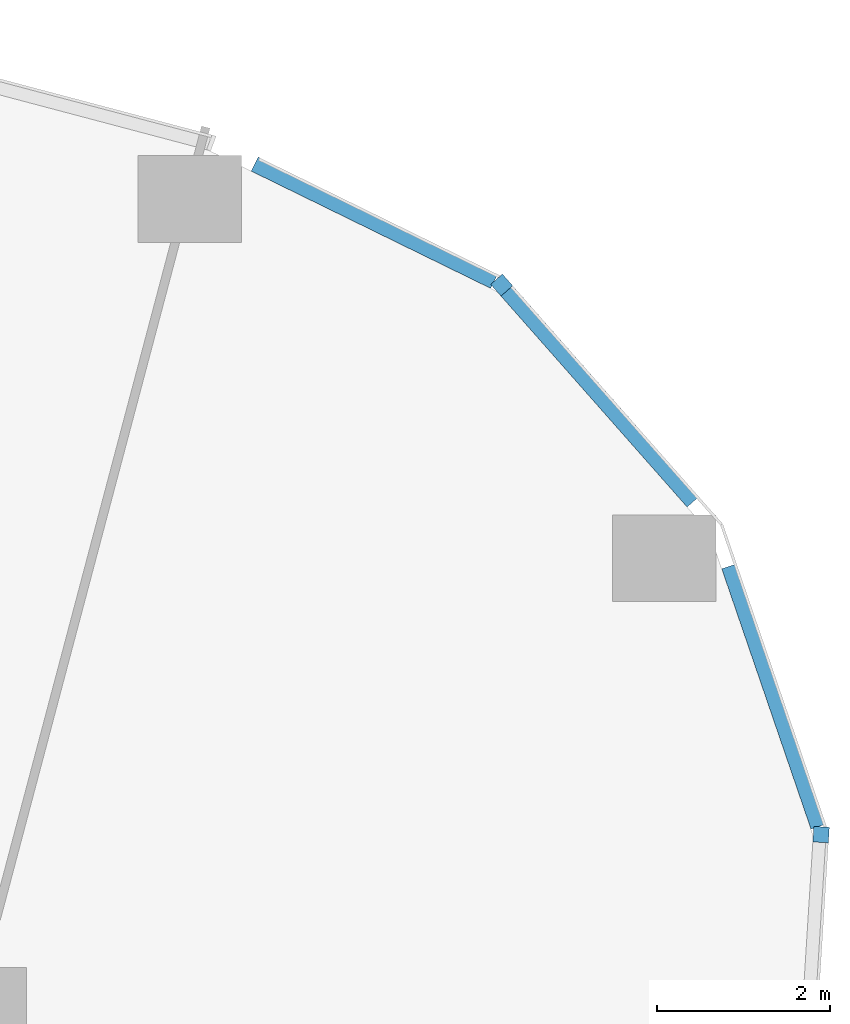
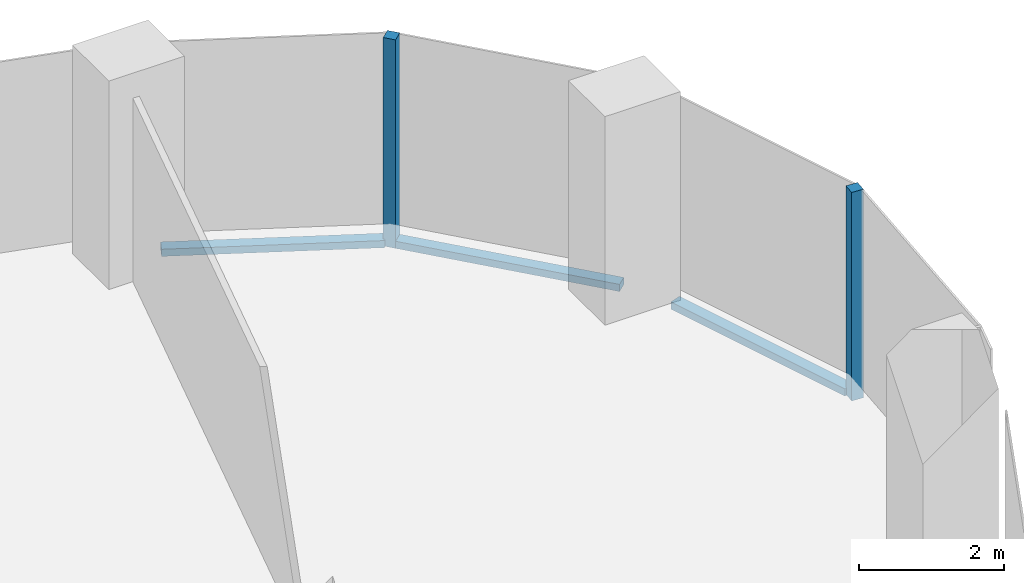
# One storey, part 11 of 34: 5 members, 4 elements without a shape of their own.
"""IFC4 building model written with IfcOpenShell, lengths in metres."""

from ifc_helpers import new_model, si_unit, direction, frame, origin, origin_2d, place, context, subcontext, project, spatial, rectangle, extrude, material, material_profile, profile_set, type_object, element, aggregate, save


model = new_model("IFC4")

# Units and contexts
model_context = context("Model", 3, precision=1e-05, world=origin(), true_north=direction((0.0, 1.0)))
body_context = subcontext(model_context, "Body", "Model", "MODEL_VIEW")
ifc_project = project(units=[si_unit("LENGTHUNIT", "METRE"), si_unit("AREAUNIT", "SQUARE_METRE"), si_unit("VOLUMEUNIT", "CUBIC_METRE"), si_unit("PLANEANGLEUNIT", "RADIAN"), si_unit("MASSUNIT", "GRAM", prefix="KILO")], contexts=[model_context])

# Site, building, storey
site_placement = place(None, origin())
site = spatial("IfcSite", under=ifc_project, at=site_placement, CompositionType="ELEMENT")
building_placement = place(site_placement, origin())
building = spatial("IfcBuilding", under=site, at=building_placement, Name="Orlundy Tower", CompositionType="ELEMENT")
storey_placement = place(building_placement, frame((0.0, 0.0, 109.199951171875)))
storey = spatial("IfcBuildingStorey", under=building, at=storey_placement, Name="L27", CompositionType="ELEMENT", Elevation=109.199951171875)

# Curtain wall, member
ifc_material_1 = material(Name="Aluminium bronze anodised", Category="aluminium")
curtain_wall_type = type_object("IfcCurtainWallType", Name="CW1 wall", PredefinedType="NOTDEFINED", material=ifc_material_1)
curtain_wall_1_placement = place(storey_placement, origin())
curtain_wall_1 = element("IfcCurtainWall", 1, at=curtain_wall_1_placement, inside=storey, type_object=curtain_wall_type, Name="CW1 run 020", PredefinedType="NOTDEFINED")
ifc_material_2 = material(Name="Aluminium bronze anodised", Category="aluminium")
ifc_material_profile_1 = material_profile(ifc_material_2, rectangle(XDim=0.179931640625, YDim=0.179931640625, at=origin_2d()), Name="CW1 corner post 180x180")
ifc_profile_set_1 = profile_set([ifc_material_profile_1], Name="Aluminium bronze anodised")
member_type_1 = type_object("IfcMemberType", Name="CW1 corner post 180x180", PredefinedType="MULLION", material=ifc_profile_set_1)
member_1_placement = place(storey_placement, frame((57.8056640625, 4.719970703125, -0.39990234375), z_axis=(0.0, 0.0, 1.0), x_axis=(0.749845729605, 0.661612712841, 0.0)))
member_1 = element("IfcMember", 2, at=member_1_placement, type_object=member_type_1, Name="CW1 mullion 58", PredefinedType="MULLION", context=body_context, shape_type="SweptSolid", body=[
    extrude(rectangle(XDim=0.179931640625, YDim=0.179931640625, at=origin_2d()), origin(), (0.0, 0.0, 1.0), 3.5),
])

curtain_wall_2_placement = place(storey_placement, origin())
curtain_wall_2 = element("IfcCurtainWall", 3, at=curtain_wall_2_placement, inside=storey, type_object=curtain_wall_type, Name="CW1 run 022", PredefinedType="NOTDEFINED")
member_2_placement = place(storey_placement, frame((61.494873046875, -1.626708984375, -0.39990234375), z_axis=(0.0, 0.0, 1.0), x_axis=(0.998038906457, -0.062596654845, 0.0)))
member_2 = element("IfcMember", 4, at=member_2_placement, type_object=member_type_1, Name="CW1 mullion 60", PredefinedType="MULLION", context=body_context, shape_type="SweptSolid", body=[
    extrude(rectangle(XDim=0.179931640625, YDim=0.179931640625, at=origin_2d()), origin(), (0.0, 0.0, 1.0), 3.5),
])
aggregate(curtain_wall_2, [member_2])

curtain_wall_3_placement = place(storey_placement, origin())
curtain_wall_3 = element("IfcCurtainWall", 5, at=curtain_wall_3_placement, inside=storey, type_object=curtain_wall_type, Name="CW1 run 019", PredefinedType="NOTDEFINED")
ifc_material_3 = material(Name="Aluminium bronze anodised", Category="aluminium")
ifc_material_profile_2 = material_profile(ifc_material_3, rectangle(XDim=0.179931640625, YDim=0.1201171875, at=origin_2d()), Name="CW1 transom 180x120")
ifc_profile_set_2 = profile_set([ifc_material_profile_2], Name="Aluminium bronze anodised")
member_type_2 = type_object("IfcMemberType", Name="CW1 transom 180x120", PredefinedType="USERDEFINED", material=ifc_profile_set_2)
member_3_placement = place(storey_placement, frame((54.952880859375, 6.11669921875, -0.33984375), z_axis=(0.898122786685, -0.439744766925, 0.0), x_axis=(0.439744766925, 0.898122786685, 0.0)))
member_3 = element("IfcMember", 6, at=member_3_placement, type_object=member_type_2, Name="CW1 transom", ObjectType="TRANSOM", PredefinedType="USERDEFINED", context=body_context, shape_type="SweptSolid", body=[
    extrude(rectangle(XDim=0.179931640625, YDim=0.1201171875, at=origin_2d()), origin(), (0.0, 0.0, 1.0), 3.0791015625),
])
aggregate(curtain_wall_3, [member_3])

# Member
member_4_placement = place(storey_placement, frame((57.865234375, 4.652587890625, -0.33984375), z_axis=(0.661584359958, -0.749870745302, 0.0), x_axis=(0.749870745302, 0.661584359958, 0.0)))
member_4 = element("IfcMember", 7, at=member_4_placement, type_object=member_type_2, Name="CW1 transom", ObjectType="TRANSOM", PredefinedType="USERDEFINED", context=body_context, shape_type="SweptSolid", body=[
    extrude(rectangle(XDim=0.179931640625, YDim=0.1201171875, at=origin_2d()), origin(), (0.0, 0.0, 1.0), 3.249267578125),
])

aggregate(curtain_wall_1, [member_1, member_4])

# Curtain wall, member
curtain_wall_4_placement = place(storey_placement, origin())
curtain_wall_4 = element("IfcCurtainWall", 8, at=curtain_wall_4_placement, inside=storey, type_object=curtain_wall_type, Name="CW1 run 021", PredefinedType="NOTDEFINED")
member_5_placement = place(storey_placement, frame((60.43310546875, 1.4716796875, -0.33984375), z_axis=(0.324190765616, -0.945991726967, 0.0), x_axis=(0.945991726967, 0.324190765616, 0.0)))
member_5 = element("IfcMember", 9, at=member_5_placement, type_object=member_type_2, Name="CW1 transom", ObjectType="TRANSOM", PredefinedType="USERDEFINED", context=body_context, shape_type="SweptSolid", body=[
    extrude(rectangle(XDim=0.179931640625, YDim=0.1201171875, at=origin_2d()), origin(), (0.0, 0.0, 1.0), 3.177978515625),
])
aggregate(curtain_wall_4, [member_5])

save(model, "model.ifc")
